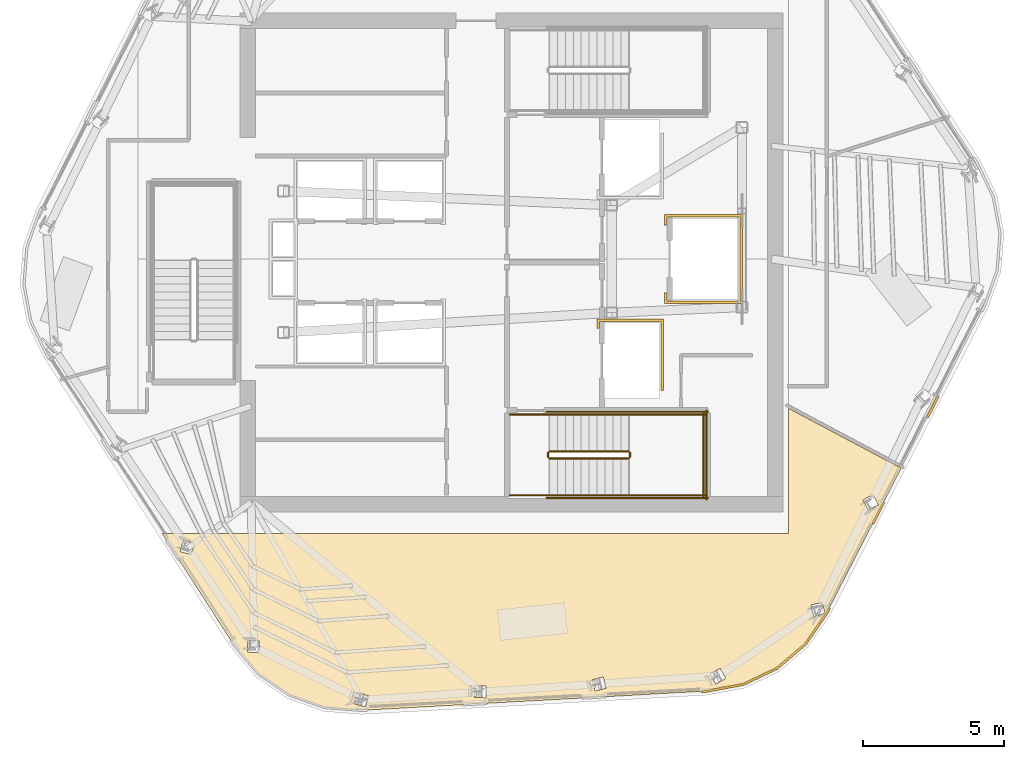
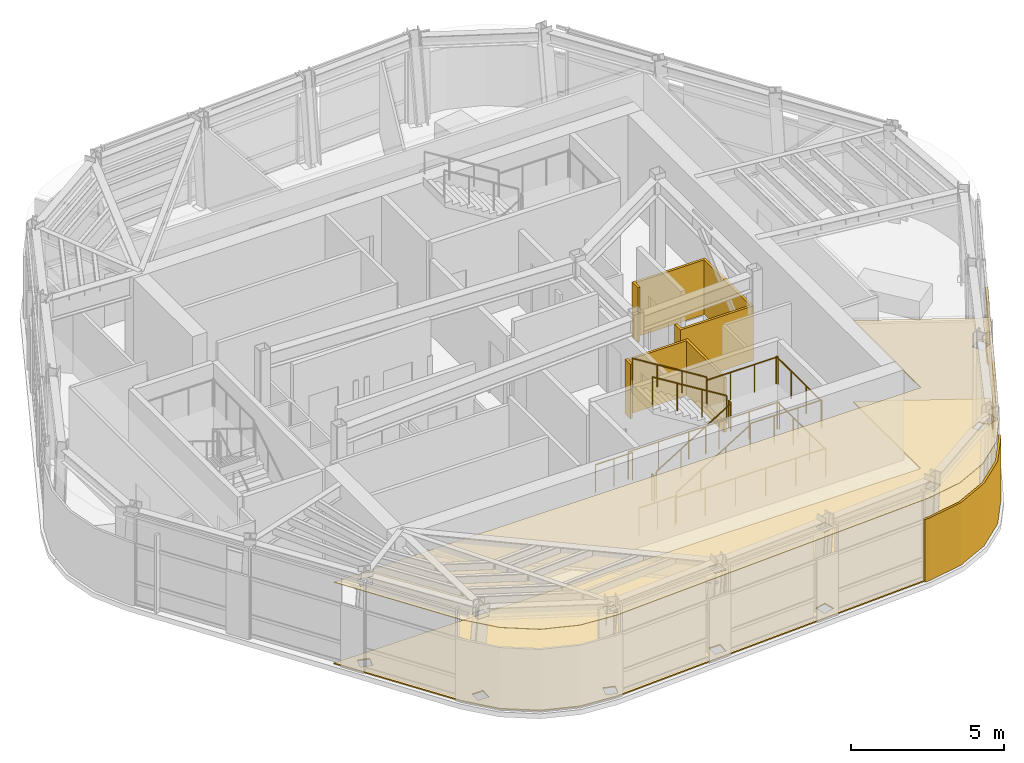
# One storey, part 10 of 13: 14 railings, 7 coverings.
"""IFC4 building model written with IfcOpenShell, lengths in metres."""

from ifc_helpers import new_model, si_unit, direction, frame, origin, origin_2d, place, context, subcontext, project, spatial, polyline, circle, outline, extrude, material, layer, layer_set, type_object, element, save


model = new_model("IFC4")

# Units and contexts
model_context = context("Model", 3, precision=1e-05, world=origin(), true_north=direction((0.0, 1.0)))
body_context = subcontext(model_context, "Body", "Model", "MODEL_VIEW")
ifc_project = project(units=[si_unit("LENGTHUNIT", "METRE"), si_unit("AREAUNIT", "SQUARE_METRE"), si_unit("VOLUMEUNIT", "CUBIC_METRE"), si_unit("PLANEANGLEUNIT", "RADIAN"), si_unit("MASSUNIT", "GRAM", prefix="KILO")], contexts=[model_context])

# Site, building, storey
site_placement = place(None, origin())
site = spatial("IfcSite", under=ifc_project, at=site_placement, CompositionType="ELEMENT")
building_placement = place(site_placement, origin())
building = spatial("IfcBuilding", under=site, at=building_placement, Name="Valkerne Bourse Tower", CompositionType="ELEMENT")
storey_placement = place(building_placement, frame((0.0, 0.0, 296.39990234375)))
storey = spatial("IfcBuildingStorey", under=building, at=storey_placement, Name="L75", CompositionType="ELEMENT", Elevation=296.39990234375)

# Coverings
ifc_material_1 = material(Name="Mineral Fiber Acoustic Ceiling Tile", Category="acoustic")
ifc_layer_1 = layer(ifc_material_1, 0.02490234375)
ifc_layer_set_1 = layer_set([ifc_layer_1], Name="Mineral Fiber Acoustic Ceiling Tile")
covering_type_1 = type_object("IfcCoveringType", Name="COV-CEIL-ACT", PredefinedType="CEILING", material=ifc_layer_set_1)
covering_1_placement = place(storey_placement, frame((0.0, 0.0, 3.25)))
element("IfcCovering", 1, at=covering_1_placement, inside=storey, type_object=covering_type_1, Name="L75 Suspended Ceiling 09", PredefinedType="CEILING", context=body_context, shape_type="SweptSolid", body=[
    extrude(outline(polyline([(56.1953125, 12.53271484375), (55.004150390625, 11.964599609375), (53.697021484375, 11.722412109375), (41.515869140625, 11.04345703125), (40.191162109375, 11.147705078125), (38.947265625, 11.588134765625), (37.85986328125, 12.335693359375), (36.996826171875, 13.34619140625), (34.44775390625, 17.300048828125), (56.60009765625, 17.300048828125), (56.60009765625, 21.722412109375), (60.581787109375, 19.605224609375), (57.951416015625, 14.485107421875), (57.198486328125, 13.3896484375), (56.1953125, 12.53271484375)]), holes=[polyline([(41.746826171875, 11.55908203125), (41.35693359375, 11.671875), (41.243408203125, 11.27880859375), (41.24560546875, 11.27783203125), (41.635498046875, 11.165283203125), (41.749267578125, 11.558349609375), (41.746826171875, 11.55908203125)]), polyline([(45.906005859375, 11.8955078125), (45.500244140625, 11.905517578125), (45.48974609375, 11.496337890625), (45.491943359375, 11.496337890625), (45.897705078125, 11.486083984375), (45.908203125, 11.895263671875), (45.906005859375, 11.8955078125)]), polyline([(37.8857421875, 13.5), (37.47705078125, 13.50634765625), (37.4697265625, 13.099853515625), (37.4716796875, 13.098388671875), (37.88037109375, 13.092041015625), (37.8876953125, 13.49853515625), (37.8857421875, 13.5)]), polyline([(35.58837890625, 16.94189453125), (35.194580078125, 17.0517578125), (35.084716796875, 16.660400390625), (35.086181640625, 16.65869140625), (35.479736328125, 16.548828125), (35.58984375, 16.940185546875), (35.58837890625, 16.94189453125)]), polyline([(50.150390625, 11.8251953125), (50.048828125, 12.221923828125), (50.046875, 12.221435546875), (49.6533203125, 12.120849609375), (49.7548828125, 11.724365234375), (49.757080078125, 11.724609375), (50.150390625, 11.8251953125)]), polyline([(54.38232421875, 12.17041015625), (54.183837890625, 12.5283203125), (54.181640625, 12.52734375), (53.826904296875, 12.330078125), (54.025390625, 11.972412109375), (54.027587890625, 11.973388671875), (54.38232421875, 12.17041015625)]), polyline([(57.890380859375, 14.46826171875), (57.79248046875, 14.863037109375), (57.395751953125, 14.765380859375), (57.393798828125, 14.763916015625), (57.49169921875, 14.369140625), (57.888427734375, 14.466796875), (57.890380859375, 14.46826171875)]), polyline([(59.781005859375, 18.314208984375), (59.586181640625, 18.67138671875), (59.22705078125, 18.476318359375), (59.225830078125, 18.474609375), (59.42041015625, 18.117431640625), (59.779541015625, 18.3125), (59.781005859375, 18.314208984375)])]), origin(), (0.0, 0.0, 1.0), 0.025146484375),
])
ifc_material_2 = material(Name="Bronze Anodised Aluminium AA 6063-T6", Category="aluminium")
ifc_layer_2 = layer(ifc_material_2, 0.06005859375)
ifc_layer_set_2 = layer_set([ifc_layer_2], Name="Bronze Anodised Aluminium AA 6063-T6")
covering_type_2 = type_object("IfcCoveringType", Name="COV-CRN-ALUM", PredefinedType="CLADDING", material=ifc_layer_set_2)
covering_2_placement = place(storey_placement, origin())
element("IfcCovering", 2, at=covering_2_placement, inside=storey, type_object=covering_type_2, Name="L75 Wind-Shaped Corner Aluminium Cladding 02", PredefinedType="CLADDING", context=body_context, shape_type="SweptSolid", body=[
    extrude(outline(polyline([(61.54296875, 21.38037109375), (61.4716796875, 21.41650390625), (61.855712890625, 22.163818359375), (61.927001953125, 22.12744140625), (61.54296875, 21.38037109375)])), origin(), (0.0, 0.0, 1.0), 2.5),
])
covering_3_placement = place(storey_placement, origin())
element("IfcCovering", 3, at=covering_3_placement, inside=storey, type_object=covering_type_2, Name="L75 Wind-Shaped Corner Aluminium Cladding 03", PredefinedType="CLADDING", context=body_context, shape_type="SweptSolid", body=[
    extrude(outline(polyline([(59.618408203125, 17.6337890625), (59.547119140625, 17.670166015625), (59.930908203125, 18.417236328125), (60.002197265625, 18.381103515625), (59.618408203125, 17.6337890625)])), origin(), (0.0, 0.0, 1.0), 2.5),
])
covering_4_placement = place(storey_placement, origin())
element("IfcCovering", 4, at=covering_4_placement, inside=storey, type_object=covering_type_2, Name="L75 Wind-Shaped Corner Aluminium Cladding 04", PredefinedType="CLADDING", context=body_context, shape_type="SweptSolid", body=[
    extrude(outline(polyline([(57.989501953125, 14.462646484375), (57.2314453125, 13.360107421875), (56.219482421875, 12.49560546875), (55.017822265625, 11.92236328125), (53.702392578125, 11.6787109375), (53.509765625, 11.66796875), (53.505615234375, 11.747802734375), (53.69287109375, 11.75830078125), (54.992919921875, 11.999267578125), (56.17529296875, 12.563232421875), (57.171630859375, 13.4140625), (57.92041015625, 14.503662109375), (58.00634765625, 14.670654296875), (58.07763671875, 14.63427734375), (57.989501953125, 14.462646484375)])), origin(), (0.0, 0.0, 1.0), 2.5),
])
ifc_material_3 = material(Name="Galvanised Painted Steel", Category="steel")
ifc_layer_3 = layer(ifc_material_3, 0.044921875)
ifc_layer_set_3 = layer_set([ifc_layer_3], Name="Galvanised Painted Steel")
covering_type_3 = type_object("IfcCoveringType", Name="COV-FLR-RAF", PredefinedType="FLOORING", material=ifc_layer_set_3)
covering_5_placement = place(storey_placement, origin())
element("IfcCovering", 5, at=covering_5_placement, inside=storey, type_object=covering_type_3, Name="L75 Floor Finish 09", PredefinedType="FLOORING", context=body_context, shape_type="SweptSolid", body=[
    extrude(outline(polyline([(56.1953125, 12.53271484375), (55.004150390625, 11.964599609375), (53.697021484375, 11.722412109375), (41.515869140625, 11.04345703125), (40.191162109375, 11.147705078125), (38.947265625, 11.588134765625), (37.85986328125, 12.335693359375), (36.996826171875, 13.34619140625), (34.44775390625, 17.300048828125), (56.60009765625, 17.300048828125), (56.60009765625, 21.722412109375), (60.581787109375, 19.605224609375), (57.951416015625, 14.485107421875), (57.198486328125, 13.3896484375), (56.1953125, 12.53271484375)]), holes=[polyline([(41.746826171875, 11.55908203125), (41.35693359375, 11.671875), (41.243408203125, 11.27880859375), (41.24560546875, 11.27783203125), (41.635498046875, 11.165283203125), (41.749267578125, 11.558349609375), (41.746826171875, 11.55908203125)]), polyline([(45.906005859375, 11.8955078125), (45.500244140625, 11.905517578125), (45.48974609375, 11.496337890625), (45.491943359375, 11.496337890625), (45.897705078125, 11.486083984375), (45.908203125, 11.895263671875), (45.906005859375, 11.8955078125)]), polyline([(37.8857421875, 13.5), (37.47705078125, 13.50634765625), (37.4697265625, 13.099853515625), (37.4716796875, 13.098388671875), (37.88037109375, 13.092041015625), (37.8876953125, 13.49853515625), (37.8857421875, 13.5)]), polyline([(35.58837890625, 16.94189453125), (35.194580078125, 17.0517578125), (35.084716796875, 16.660400390625), (35.086181640625, 16.65869140625), (35.479736328125, 16.548828125), (35.58984375, 16.940185546875), (35.58837890625, 16.94189453125)]), polyline([(50.150390625, 11.8251953125), (50.048828125, 12.221923828125), (50.046875, 12.221435546875), (49.6533203125, 12.120849609375), (49.7548828125, 11.724365234375), (49.757080078125, 11.724609375), (50.150390625, 11.8251953125)]), polyline([(54.38232421875, 12.17041015625), (54.183837890625, 12.5283203125), (54.181640625, 12.52734375), (53.826904296875, 12.330078125), (54.025390625, 11.972412109375), (54.027587890625, 11.973388671875), (54.38232421875, 12.17041015625)]), polyline([(57.890380859375, 14.46826171875), (57.79248046875, 14.863037109375), (57.395751953125, 14.765380859375), (57.393798828125, 14.763916015625), (57.49169921875, 14.369140625), (57.888427734375, 14.466796875), (57.890380859375, 14.46826171875)]), polyline([(59.781005859375, 18.314208984375), (59.586181640625, 18.67138671875), (59.22705078125, 18.476318359375), (59.225830078125, 18.474609375), (59.42041015625, 18.117431640625), (59.779541015625, 18.3125), (59.781005859375, 18.314208984375)])]), origin(), (0.0, 0.0, 1.0), 0.045166015625),
])
ifc_material_4 = material(Name="Gypsum Shaftwall Liner Board", Category="gypsum")
ifc_layer_4 = layer(ifc_material_4, 0.080078125)
ifc_layer_set_4 = layer_set([ifc_layer_4], Name="Gypsum Shaftwall Liner Board")
covering_type_4 = type_object("IfcCoveringType", Name="COV-SHF-CLAD", PredefinedType="CLADDING", material=ifc_layer_set_4)
covering_6_placement = place(storey_placement, origin())
element("IfcCovering", 6, at=covering_6_placement, inside=storey, type_object=covering_type_4, Name="L75 Hoistway & Riser Shaftwall Liner 01", PredefinedType="CLADDING", context=body_context, shape_type="SweptSolid", body=[
    extrude(outline(polyline([(52.179931640625, 24.8798828125), (52.179931640625, 22.35009765625), (52.090087890625, 22.35009765625), (52.090087890625, 24.7900390625), (49.909912109375, 24.7900390625), (49.909912109375, 24.560791015625), (49.869384765625, 24.550537109375), (49.827880859375, 24.53564453125), (49.820068359375, 24.531982421875), (49.820068359375, 24.8798828125), (52.179931640625, 24.8798828125)])), origin(), (0.0, 0.0, 1.0), 2.18017578125),
])
covering_7_placement = place(storey_placement, origin())
element("IfcCovering", 7, at=covering_7_placement, inside=storey, type_object=covering_type_4, Name="L75 Hoistway & Riser Shaftwall Liner 05", PredefinedType="CLADDING", context=body_context, shape_type="SweptSolid", body=[
    extrude(outline(polyline([(54.97998046875, 28.580078125), (54.97998046875, 25.419921875), (52.219970703125, 25.419921875), (52.219970703125, 25.81787109375), (52.227783203125, 25.814208984375), (52.269287109375, 25.79931640625), (52.31005859375, 25.789306640625), (52.31005859375, 25.510009765625), (54.889892578125, 25.510009765625), (54.889892578125, 28.489990234375), (52.31005859375, 28.489990234375), (52.31005859375, 28.210693359375), (52.269287109375, 28.20068359375), (52.227783203125, 28.185791015625), (52.219970703125, 28.18212890625), (52.219970703125, 28.580078125), (54.97998046875, 28.580078125)])), origin(), (0.0, 0.0, 1.0), 2.18017578125),
])

# Railings
railing_type_1 = type_object("IfcRailingType", Name="RLG-ST-GUARD-1120", PredefinedType="GUARDRAIL", material=ifc_material_3)
railing_1_placement = place(storey_placement, frame((48.14990234375, 19.949951171875, 0.1728515625)))
element("IfcRailing", 8, at=railing_1_placement, inside=storey, type_object=railing_type_1, Name="L75 ST-1 stair guard 1", PredefinedType="GUARDRAIL", context=body_context, shape_type="SweptSolid", body=[
    extrude(circle(Radius=0.02392578125, at=origin_2d()), frame((0.0, 0.0, 1.09619140625), z_axis=(0.851089632645, 0.0, 0.525020415988), x_axis=(0.0, 1.0, 0.0)), (0.0, 0.0, 1.0), 3.2900390625),
    extrude(circle(Radius=0.02099609375, at=origin_2d()), origin(), (0.0, 0.0, 1.0), 1.072021484375),
    extrude(circle(Radius=0.02099609375, at=origin_2d()), frame((0.933349609375, 0.0, 0.57568359375)), (0.0, 0.0, 1.0), 1.072021484375),
    extrude(circle(Radius=0.02099609375, at=origin_2d()), frame((1.86669921875, 0.0, 1.151611328125)), (0.0, 0.0, 1.0), 1.072021484375),
    extrude(circle(Radius=0.02099609375, at=origin_2d()), frame((2.800048828125, 0.0, 1.727294921875)), (0.0, 0.0, 1.0), 1.072021484375),
])
railing_2_placement = place(storey_placement, frame((51.0, 20.0, 1.900146484375)))
element("IfcRailing", 9, at=railing_2_placement, inside=storey, type_object=railing_type_1, Name="L75 ST-1 stair guard 2", PredefinedType="GUARDRAIL", context=body_context, shape_type="SweptSolid", body=[
    extrude(circle(Radius=0.02392578125, at=origin_2d()), frame((0.0, 0.0, 1.09619140625), z_axis=(0.0, 1.0, 0.0), x_axis=(-1.0, 0.0, 0.0)), (0.0, 0.0, 1.0), 0.14990234375),
    extrude(circle(Radius=0.02099609375, at=origin_2d()), origin(), (0.0, 0.0, 1.0), 1.072021484375),
    extrude(circle(Radius=0.02099609375, at=origin_2d()), frame((0.0, 0.14990234375, 0.0)), (0.0, 0.0, 1.0), 1.072021484375),
])
for number, where, name in (
    (10, (50.949951171875, 18.64990234375, 1.900146484375), "L75 ST-1 stair guard 3"),
    (11, (50.949951171875, 21.5, 1.900146484375), "L75 ST-1 stair guard 4"),
):
    element("IfcRailing", number, at=place(storey_placement, frame(where)), inside=storey, type_object=railing_type_1, Name=name, PredefinedType="GUARDRAIL", context=body_context, shape_type="SweptSolid", body=[
        extrude(circle(Radius=0.02392578125, at=origin_2d()), frame((0.0, 0.0, 1.09619140625), z_axis=(1.0, 0.0, 0.0), x_axis=(0.0, 1.0, 0.0)), (0.0, 0.0, 1.0), 2.699951171875),
        extrude(circle(Radius=0.02099609375, at=origin_2d()), origin(), (0.0, 0.0, 1.0), 1.072021484375),
        extrude(circle(Radius=0.02099609375, at=origin_2d()), frame((0.89990234375, 0.0, 0.0)), (0.0, 0.0, 1.0), 1.072021484375),
        extrude(circle(Radius=0.02099609375, at=origin_2d()), frame((1.800048828125, 0.0, 0.0)), (0.0, 0.0, 1.0), 1.072021484375),
        extrude(circle(Radius=0.02099609375, at=origin_2d()), frame((2.699951171875, 0.0, 0.0)), (0.0, 0.0, 1.0), 1.072021484375),
    ])
railing_3_placement = place(storey_placement, frame((53.60009765625, 18.60009765625, 1.900146484375)))
element("IfcRailing", 12, at=railing_3_placement, inside=storey, type_object=railing_type_1, Name="L75 ST-1 stair guard 5", PredefinedType="GUARDRAIL", context=body_context, shape_type="SweptSolid", body=[
    extrude(circle(Radius=0.02392578125, at=origin_2d()), frame((0.0, 0.0, 1.09619140625), z_axis=(0.0, 1.0, 0.0), x_axis=(-1.0, 0.0, 0.0)), (0.0, 0.0, 1.0), 2.949951171875),
    extrude(circle(Radius=0.02099609375, at=origin_2d()), origin(), (0.0, 0.0, 1.0), 1.072021484375),
    extrude(circle(Radius=0.02099609375, at=origin_2d()), frame((0.0, 0.9833984375, 0.0)), (0.0, 0.0, 1.0), 1.072021484375),
    extrude(circle(Radius=0.02099609375, at=origin_2d()), frame((0.0, 1.966552734375, 0.0)), (0.0, 0.0, 1.0), 1.072021484375),
    extrude(circle(Radius=0.02099609375, at=origin_2d()), frame((0.0, 2.949951171875, 0.0)), (0.0, 0.0, 1.0), 1.072021484375),
])
railing_4_placement = place(storey_placement, frame((50.949951171875, 20.199951171875, 2.07275390625)))
element("IfcRailing", 13, at=railing_4_placement, inside=storey, type_object=railing_type_1, Name="L75 ST-1 stair guard 6", PredefinedType="GUARDRAIL", context=body_context, shape_type="SweptSolid", body=[
    extrude(circle(Radius=0.02392578125, at=origin_2d()), frame((0.0, 0.0, 1.09619140625), z_axis=(-0.851089632645, 0.0, 0.525020415988), x_axis=(0.0, -1.0, 0.0)), (0.0, 0.0, 1.0), 3.2900390625),
    extrude(circle(Radius=0.02099609375, at=origin_2d()), origin(), (0.0, 0.0, 1.0), 1.072021484375),
    extrude(circle(Radius=0.02099609375, at=origin_2d()), frame((-0.933349609375, 0.0, 0.57568359375)), (0.0, 0.0, 1.0), 1.072021484375),
    extrude(circle(Radius=0.02099609375, at=origin_2d()), frame((-1.86669921875, 0.0, 1.151611328125)), (0.0, 0.0, 1.0), 1.072021484375),
    extrude(circle(Radius=0.02099609375, at=origin_2d()), frame((-2.800048828125, 0.0, 1.727294921875)), (0.0, 0.0, 1.0), 1.072021484375),
])
railing_5_placement = place(storey_placement, frame((48.10009765625, 20.0, 0.0)))
element("IfcRailing", 14, at=railing_5_placement, inside=storey, type_object=railing_type_1, Name="L75 ST-1 stair guard 7", PredefinedType="GUARDRAIL", context=body_context, shape_type="SweptSolid", body=[
    extrude(circle(Radius=0.02392578125, at=origin_2d()), frame((0.0, 0.0, 1.09619140625), z_axis=(0.0, 1.0, 0.0), x_axis=(-1.0, 0.0, 0.0)), (0.0, 0.0, 1.0), 0.14990234375),
    extrude(circle(Radius=0.02099609375, at=origin_2d()), origin(), (0.0, 0.0, 1.0), 1.072021484375),
    extrude(circle(Radius=0.02099609375, at=origin_2d()), frame((0.0, 0.14990234375, 0.0)), (0.0, 0.0, 1.0), 1.072021484375),
])
for number, where, name in (
    (15, (46.75, 18.64990234375, 0.0), "L75 ST-1 stair guard 8"),
    (16, (46.75, 21.5, 0.0), "L75 ST-1 stair guard 9"),
):
    element("IfcRailing", number, at=place(storey_placement, frame(where)), inside=storey, type_object=railing_type_1, Name=name, PredefinedType="GUARDRAIL", context=body_context, shape_type="SweptSolid", body=[
        extrude(circle(Radius=0.02392578125, at=origin_2d()), frame((0.0, 0.0, 1.09619140625), z_axis=(1.0, 0.0, 0.0), x_axis=(0.0, 1.0, 0.0)), (0.0, 0.0, 1.0), 1.39990234375),
        extrude(circle(Radius=0.02099609375, at=origin_2d()), origin(), (0.0, 0.0, 1.0), 1.072021484375),
        extrude(circle(Radius=0.02099609375, at=origin_2d()), frame((0.699951171875, 0.0, 0.0)), (0.0, 0.0, 1.0), 1.072021484375),
        extrude(circle(Radius=0.02099609375, at=origin_2d()), frame((1.39990234375, 0.0, 0.0)), (0.0, 0.0, 1.0), 1.072021484375),
    ])
for number, where, name in (
    (17, (48.050048828125, 18.550048828125, 0.0), "L75 ST-1 stair guard 10"),
    (18, (48.050048828125, 21.60009765625, 0.0), "L75 ST-1 stair guard 11"),
):
    element("IfcRailing", number, at=place(storey_placement, frame(where)), inside=storey, type_object=railing_type_1, Name=name, PredefinedType="GUARDRAIL", context=body_context, shape_type="SweptSolid", body=[
        extrude(circle(Radius=0.02392578125, at=origin_2d()), frame((0.0, 0.0, 1.09619140625), z_axis=(1.0, 0.0, 0.0), x_axis=(0.0, 1.0, 0.0)), (0.0, 0.0, 1.0), 5.699951171875),
        extrude(circle(Radius=0.02099609375, at=origin_2d()), origin(), (0.0, 0.0, 1.0), 1.072021484375),
        extrude(circle(Radius=0.02099609375, at=origin_2d()), frame((1.139892578125, 0.0, 0.0)), (0.0, 0.0, 1.0), 1.072021484375),
        extrude(circle(Radius=0.02099609375, at=origin_2d()), frame((2.280029296875, 0.0, 0.0)), (0.0, 0.0, 1.0), 1.072021484375),
        extrude(circle(Radius=0.02099609375, at=origin_2d()), frame((3.419921875, 0.0, 0.0)), (0.0, 0.0, 1.0), 1.072021484375),
        extrude(circle(Radius=0.02099609375, at=origin_2d()), frame((4.56005859375, 0.0, 0.0)), (0.0, 0.0, 1.0), 1.072021484375),
        extrude(circle(Radius=0.02099609375, at=origin_2d()), frame((5.699951171875, 0.0, 0.0)), (0.0, 0.0, 1.0), 1.072021484375),
    ])
railing_6_placement = place(storey_placement, frame((53.699951171875, 18.5, 0.0)))
element("IfcRailing", 19, at=railing_6_placement, inside=storey, type_object=railing_type_1, Name="L75 ST-1 stair guard 12", PredefinedType="GUARDRAIL", context=body_context, shape_type="SweptSolid", body=[
    extrude(circle(Radius=0.02392578125, at=origin_2d()), frame((0.0, 0.0, 1.09619140625), z_axis=(0.0, 1.0, 0.0), x_axis=(-1.0, 0.0, 0.0)), (0.0, 0.0, 1.0), 3.14990234375),
    extrude(circle(Radius=0.02099609375, at=origin_2d()), origin(), (0.0, 0.0, 1.0), 1.072021484375),
    extrude(circle(Radius=0.02099609375, at=origin_2d()), frame((0.0, 1.050048828125, 0.0)), (0.0, 0.0, 1.0), 1.072021484375),
    extrude(circle(Radius=0.02099609375, at=origin_2d()), frame((0.0, 2.099853515625, 0.0)), (0.0, 0.0, 1.0), 1.072021484375),
    extrude(circle(Radius=0.02099609375, at=origin_2d()), frame((0.0, 3.14990234375, 0.0)), (0.0, 0.0, 1.0), 1.072021484375),
])
ifc_material_5 = material(Name="Stainless Steel AISI 316", Category="steel")
railing_type_2 = type_object("IfcRailingType", Name="RLG-ST-HANDRAIL-900", PredefinedType="HANDRAIL", material=ifc_material_5)
railing_7_placement = place(storey_placement, frame((48.14990234375, 18.64990234375, 0.345458984375)))
element("IfcRailing", 20, at=railing_7_placement, inside=storey, type_object=railing_type_2, Name="L75 ST-1 stair handrail 1", PredefinedType="HANDRAIL", context=body_context, shape_type="SweptSolid", body=[
    extrude(circle(Radius=0.02392578125, at=origin_2d()), frame((0.0, 0.0, 0.8759765625), z_axis=(0.851089632645, 0.0, 0.525020415988), x_axis=(0.0, 1.0, 0.0)), (0.0, 0.0, 1.0), 3.2900390625),
    extrude(circle(Radius=0.02099609375, at=origin_2d()), origin(), (0.0, 0.0, 1.0), 0.851806640625),
    extrude(circle(Radius=0.02099609375, at=origin_2d()), frame((0.933349609375, 0.0, 0.57568359375)), (0.0, 0.0, 1.0), 0.851806640625),
    extrude(circle(Radius=0.02099609375, at=origin_2d()), frame((1.86669921875, 0.0, 1.151611328125)), (0.0, 0.0, 1.0), 0.851806640625),
    extrude(circle(Radius=0.02099609375, at=origin_2d()), frame((2.800048828125, 0.0, 1.727294921875)), (0.0, 0.0, 1.0), 0.851806640625),
])
railing_8_placement = place(storey_placement, frame((50.949951171875, 21.5, 2.24560546875)))
element("IfcRailing", 21, at=railing_8_placement, inside=storey, type_object=railing_type_2, Name="L75 ST-1 stair handrail 2", PredefinedType="HANDRAIL", context=body_context, shape_type="SweptSolid", body=[
    extrude(circle(Radius=0.02392578125, at=origin_2d()), frame((0.0, 0.0, 0.8759765625), z_axis=(-0.851089632645, 0.0, 0.525020415988), x_axis=(0.0, -1.0, 0.0)), (0.0, 0.0, 1.0), 3.2900390625),
    extrude(circle(Radius=0.02099609375, at=origin_2d()), origin(), (0.0, 0.0, 1.0), 0.851806640625),
    extrude(circle(Radius=0.02099609375, at=origin_2d()), frame((-0.933349609375, 0.0, 0.57568359375)), (0.0, 0.0, 1.0), 0.851806640625),
    extrude(circle(Radius=0.02099609375, at=origin_2d()), frame((-1.86669921875, 0.0, 1.151611328125)), (0.0, 0.0, 1.0), 0.851806640625),
    extrude(circle(Radius=0.02099609375, at=origin_2d()), frame((-2.800048828125, 0.0, 1.727294921875)), (0.0, 0.0, 1.0), 0.851806640625),
])

save(model, "model.ifc")
